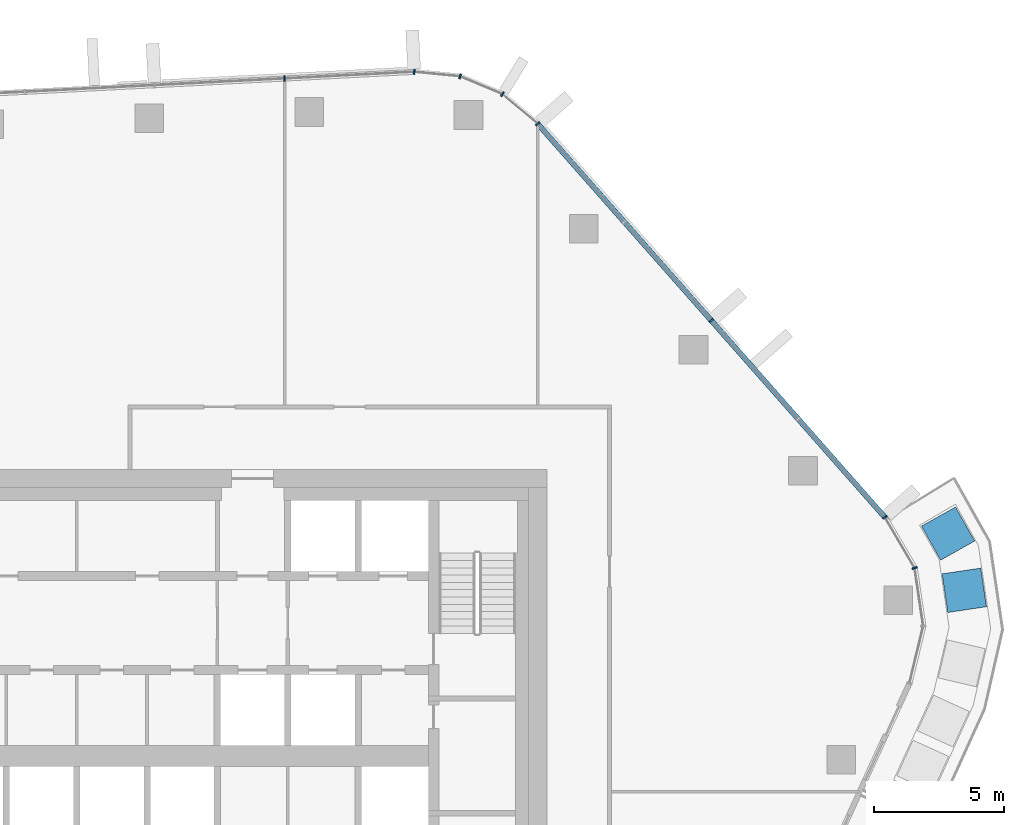
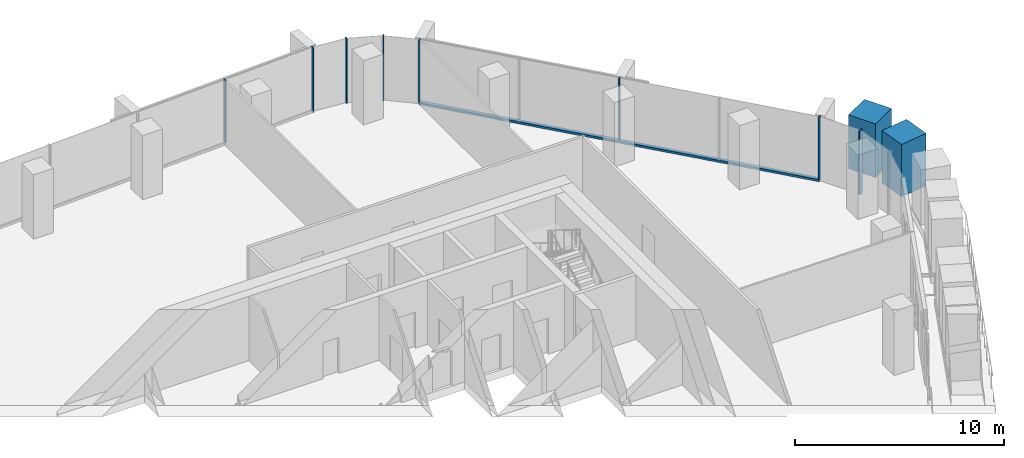
# One storey, part 8 of 21: 11 members, 4 elements without a shape of their own.
"""IFC4 building model written with IfcOpenShell, lengths in metres."""

from ifc_helpers import new_model, si_unit, direction, frame, origin, origin_2d, place, context, subcontext, project, spatial, rectangle, extrude, material, layer, layer_set, material_profile, profile_set, type_object, element, aggregate, save


model = new_model("IFC4")

# Units and contexts
model_context = context("Model", 3, precision=1e-05, world=origin(), true_north=direction((0.0, 1.0)))
body_context = subcontext(model_context, "Body", "Model", "MODEL_VIEW")
ifc_project = project(units=[si_unit("LENGTHUNIT", "METRE"), si_unit("AREAUNIT", "SQUARE_METRE"), si_unit("VOLUMEUNIT", "CUBIC_METRE"), si_unit("PLANEANGLEUNIT", "RADIAN"), si_unit("MASSUNIT", "GRAM", prefix="KILO")], contexts=[model_context])

# Site, building, storey
site_placement = place(None, origin())
site = spatial("IfcSite", under=ifc_project, at=site_placement, CompositionType="ELEMENT")
building_placement = place(site_placement, origin())
building = spatial("IfcBuilding", under=site, at=building_placement, Name="Dongbaek Canopy Tower", CompositionType="ELEMENT")
storey_placement = place(building_placement, frame((0.0, 0.0, 232.800048828125)))
storey = spatial("IfcBuildingStorey", under=building, at=storey_placement, Name="L48", CompositionType="ELEMENT", Elevation=232.800048828125)

# Curtain wall, members
ifc_material_1 = material(Name="Aluminium 6063-T6 pale anodised", Category="aluminium")
ifc_layer = layer(ifc_material_1, 0.199951171875)
ifc_layer_set = layer_set([ifc_layer], Name="CW-1 unitised tower curtain wall")
curtain_wall_type = type_object("IfcCurtainWallType", Name="CW-1 unitised tower curtain wall", PredefinedType="NOTDEFINED", material=ifc_layer_set)
curtain_wall_1_placement = place(storey_placement, origin())
curtain_wall_1 = element("IfcCurtainWall", 1, at=curtain_wall_1_placement, inside=storey, type_object=curtain_wall_type, Name="CW-1 curtain wall K0.1", PredefinedType="NOTDEFINED")
ifc_material_2 = material(Name="Aluminium 6063-T6 pale anodised", Category="aluminium")
ifc_material_profile_1 = material_profile(ifc_material_2, rectangle(XDim=0.199951171875, YDim=0.06005859375, at=origin_2d()), Name="CW-1 mullion 60 x 200")
ifc_profile_set_1 = profile_set([ifc_material_profile_1], Name="Aluminium 6063-T6 pale anodised")
member_type_1 = type_object("IfcMemberType", Name="CW-1 mullion 60 x 200", PredefinedType="MULLION", material=ifc_profile_set_1)
member_1_placement = place(storey_placement, frame((28.117919921875, 7.21240234375, 0.0), z_axis=(0.0, 0.0, 1.0), x_axis=(0.943107771326, 0.332487190226, 0.0)))
member_1 = element("IfcMember", 2, at=member_1_placement, type_object=member_type_1, Name="CW-1 mullion K0.1.3", PredefinedType="MULLION", context=body_context, shape_type="SweptSolid", body=[
    extrude(rectangle(XDim=0.199951171875, YDim=0.06005859375, at=origin_2d()), origin(), (0.0, 0.0, 1.0), 3.75),
])
member_2_placement = place(storey_placement, frame((26.972900390625, 9.162109375, 0.0), z_axis=(0.0, 0.0, 1.0), x_axis=(0.862318339325, 0.506366548722, 0.0)))
member_2 = element("IfcMember", 3, at=member_2_placement, type_object=member_type_1, Name="CW-1 mullion K0.1.4", PredefinedType="MULLION", context=body_context, shape_type="SweptSolid", body=[
    extrude(rectangle(XDim=0.199951171875, YDim=0.06005859375, at=origin_2d()), origin(), (0.0, 0.0, 1.0), 3.75),
])
aggregate(curtain_wall_1, [member_1, member_2])

curtain_wall_2_placement = place(storey_placement, origin())
curtain_wall_2 = element("IfcCurtainWall", 4, at=curtain_wall_2_placement, inside=storey, type_object=curtain_wall_type, Name="CW-1 curtain wall F0.1", PredefinedType="NOTDEFINED")
member_3_placement = place(storey_placement, frame((20.310546875, 16.712646484375, 0.119873046875), z_axis=(0.0, 0.0, 1.0), x_axis=(0.749829254199, 0.661631384947, 0.0)))
member_3 = element("IfcMember", 5, at=member_3_placement, type_object=member_type_1, Name="CW-1 mullion F0.1.3", PredefinedType="MULLION", context=body_context, shape_type="SweptSolid", body=[
    extrude(rectangle(XDim=0.199951171875, YDim=0.06005859375, at=origin_2d()), origin(), (0.0, 0.0, 1.0), 3.630126953125),
])
member_4_placement = place(storey_placement, frame((13.646728515625, 24.2646484375, 0.119873046875), z_axis=(0.0, 0.0, 1.0), x_axis=(0.749829254199, 0.661631384947, 0.0)))
member_4 = element("IfcMember", 6, at=member_4_placement, type_object=member_type_1, Name="CW-1 mullion F0.1.5", PredefinedType="MULLION", context=body_context, shape_type="SweptSolid", body=[
    extrude(rectangle(XDim=0.199951171875, YDim=0.06005859375, at=origin_2d()), origin(), (0.0, 0.0, 1.0), 3.630126953125),
])

curtain_wall_3_placement = place(storey_placement, origin())
curtain_wall_3 = element("IfcCurtainWall", 7, at=curtain_wall_3_placement, inside=storey, type_object=curtain_wall_type, Name="CW-1 curtain wall K1.1", PredefinedType="NOTDEFINED")
member_5_placement = place(storey_placement, frame((12.291748046875, 25.4013671875, 0.0), z_axis=(0.0, 0.0, 1.0), x_axis=(0.521098970502, 0.853496258306, 0.0)))
member_5 = element("IfcMember", 8, at=member_5_placement, type_object=member_type_1, Name="CW-1 mullion K1.1.2", PredefinedType="MULLION", context=body_context, shape_type="SweptSolid", body=[
    extrude(rectangle(XDim=0.199951171875, YDim=0.06005859375, at=origin_2d()), origin(), (0.0, 0.0, 1.0), 3.75),
])
member_6_placement = place(storey_placement, frame((10.66845703125, 26.08447265625, 0.0), z_axis=(0.0, 0.0, 1.0), x_axis=(0.245923306324, 0.969289289844, 0.0)))
member_6 = element("IfcMember", 9, at=member_6_placement, type_object=member_type_1, Name="CW-1 mullion K1.1.3", PredefinedType="MULLION", context=body_context, shape_type="SweptSolid", body=[
    extrude(rectangle(XDim=0.199951171875, YDim=0.06005859375, at=origin_2d()), origin(), (0.0, 0.0, 1.0), 3.75),
])
member_7_placement = place(storey_placement, frame((8.908447265625, 26.258544921875, 0.0), z_axis=(0.0, 0.0, 1.0), x_axis=(0.098479301867, 0.995139099374, 0.0)))
member_7 = element("IfcMember", 10, at=member_7_placement, type_object=member_type_1, Name="CW-1 mullion K1.1.4", PredefinedType="MULLION", context=body_context, shape_type="SweptSolid", body=[
    extrude(rectangle(XDim=0.199951171875, YDim=0.06005859375, at=origin_2d()), origin(), (0.0, 0.0, 1.0), 3.75),
])
aggregate(curtain_wall_3, [member_5, member_6, member_7])

# Curtain wall, member
curtain_wall_4_placement = place(storey_placement, origin())
curtain_wall_4 = element("IfcCurtainWall", 11, at=curtain_wall_4_placement, inside=storey, type_object=curtain_wall_type, Name="CW-1 curtain wall F1.1", PredefinedType="NOTDEFINED")
member_8_placement = place(storey_placement, frame((3.9287109375, 26.00341796875, 0.119873046875), z_axis=(0.0, 0.0, 1.0), x_axis=(-0.051171421559, 0.998689884607, 0.0)))
member_8 = element("IfcMember", 12, at=member_8_placement, type_object=member_type_1, Name="CW-1 mullion F1.1.2", PredefinedType="MULLION", context=body_context, shape_type="SweptSolid", body=[
    extrude(rectangle(XDim=0.199951171875, YDim=0.06005859375, at=origin_2d()), origin(), (0.0, 0.0, 1.0), 3.630126953125),
])
aggregate(curtain_wall_4, [member_8])

# Member
ifc_material_3 = material(Name="Aluminium 6063-T6 pale anodised", Category="aluminium")
ifc_material_profile_2 = material_profile(ifc_material_3, rectangle(XDim=0.199951171875, YDim=0.1201171875, at=origin_2d()), Name="CW-1 transom 120 x 200")
ifc_profile_set_2 = profile_set([ifc_material_profile_2], Name="Aluminium 6063-T6 pale anodised")
member_type_2 = type_object("IfcMemberType", Name="CW-1 transom 120 x 200", PredefinedType="USERDEFINED", material=ifc_profile_set_2)
member_9_placement = place(storey_placement, frame((26.972900390625, 9.162109375, 0.06005859375), z_axis=(-0.66163286225, 0.74982795066, 0.0), x_axis=(-0.74982795066, -0.66163286225, 0.0)))
member_9 = element("IfcMember", 13, at=member_9_placement, type_object=member_type_2, Name="CW-1 transom F0.1.1", ObjectType="TRANSOM", PredefinedType="USERDEFINED", context=body_context, shape_type="SweptSolid", body=[
    extrude(rectangle(XDim=0.199951171875, YDim=0.1201171875, at=origin_2d()), origin(), (0.0, 0.0, 1.0), 20.141357421875),
])

aggregate(curtain_wall_2, [member_3, member_4, member_9])

# Members
ifc_material_4 = material(Name="Concrete C40/50 planter mass with planting", Category="concrete")
ifc_material_profile_3 = material_profile(ifc_material_4, rectangle(XDim=1.5, YDim=1.5, at=origin_2d()), Name="Terrace PLANTER shrub mass 1500 x 1500")
ifc_profile_set_3 = profile_set([ifc_material_profile_3], Name="Concrete C40/50 planter mass with planting")
member_type_3 = type_object("IfcMemberType", Name="Terrace PLANTER shrub mass 1500 x 1500", PredefinedType="USERDEFINED", material=ifc_profile_set_3)
member_10_placement = place(storey_placement, frame((30.022705078125, 6.3564453125, 0.419921875), z_axis=(0.0, 0.0, 1.0), x_axis=(0.989227652843, 0.146385282221, 0.0)))
element("IfcMember", 14, at=member_10_placement, inside=storey, type_object=member_type_3, Name="Planter shrubs L48 3.4", ObjectType="PLANTER", PredefinedType="USERDEFINED", context=body_context, shape_type="SweptSolid", body=[
    extrude(rectangle(XDim=1.5, YDim=1.5, at=origin_2d()), origin(), (0.0, 0.0, 1.0), 3.050048828125),
])
member_11_placement = place(storey_placement, frame((29.400146484375, 8.532958984375, 0.419921875), z_axis=(0.0, 0.0, 1.0), x_axis=(0.871626237396, 0.490171094907, 0.0)))
element("IfcMember", 15, at=member_11_placement, inside=storey, type_object=member_type_3, Name="Planter shrubs L48 3.5", ObjectType="PLANTER", PredefinedType="USERDEFINED", context=body_context, shape_type="SweptSolid", body=[
    extrude(rectangle(XDim=1.5, YDim=1.5, at=origin_2d()), origin(), (0.0, 0.0, 1.0), 3.130126953125),
])

save(model, "model.ifc")
